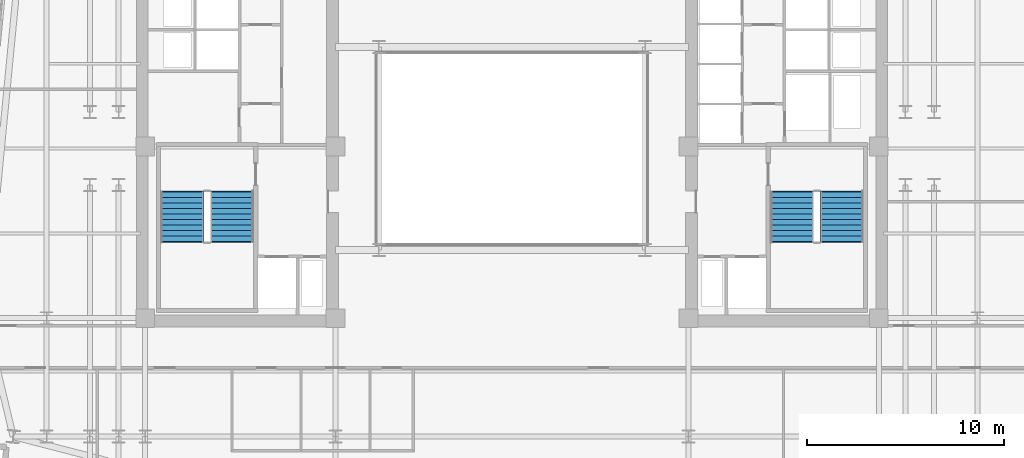
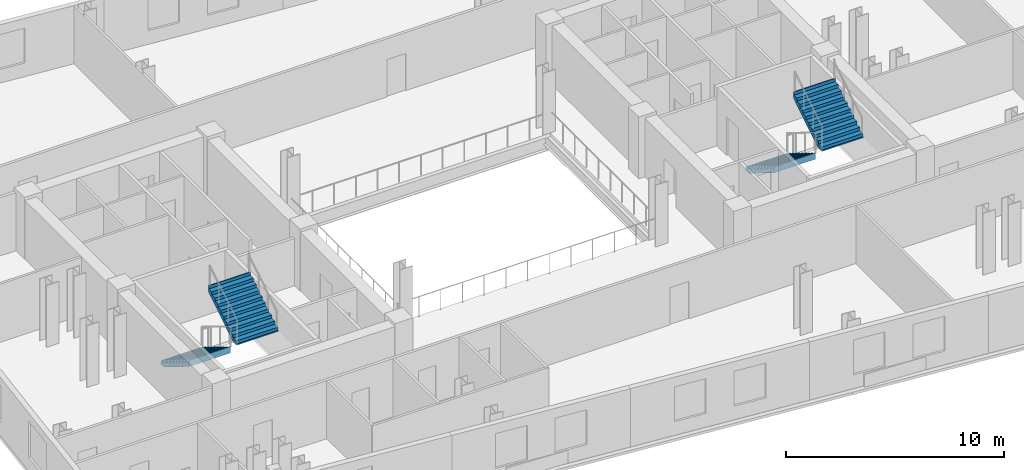
# One storey, part 7 of 9: 4 stair flights, 2 elements without a shape of their own.
"""IFC4 building model written with IfcOpenShell, lengths in metres."""

import ifcopenshell
import ifcopenshell.guid

model = None  # the IFC model being written
_history = None  # IfcOwnerHistory: only IFC2X3 demands one
_inside = {}  # id of a spatial element -> (the spatial element, [elements in it])
_under = {}  # id of a project, library or spatial element -> (it, [spatial elements below it])
_declared = {}  # id of a project -> (the project, [libraries it declares])
_typed = {}  # id of a type object -> (the type object, [elements of that type])
_made_of = {}  # id of a material, layer set ... -> (it, [elements and type objects made of it])


def new_model(schema):
    """Start an empty IFC model of exactly this schema.

    Asked for "IFC4X3", IfcOpenShell would pick the latest addendum, in which some entities
    have other attributes; the version numbers below select the first issue.
    IFC2X3 requires an IfcOwnerHistory on every rooted entity: one is made here for all.
    """
    global model, _history
    if schema == "IFC4X3":
        model = ifcopenshell.file(schema_version=(4, 3, 0, 0))
    else:
        model = ifcopenshell.file(schema=schema)
    _inside.clear()
    _under.clear()
    _declared.clear()
    _typed.clear()
    _made_of.clear()
    _history = None
    if model.schema == "IFC2X3":
        org = make("IfcOrganization", Name="unknown")
        user = make(
            "IfcPersonAndOrganization",
            ThePerson=make("IfcPerson", FamilyName="unknown"),
            TheOrganization=org,
        )
        app = make(
            "IfcApplication",
            ApplicationDeveloper=org,
            Version="unknown",
            ApplicationFullName="unknown",
            ApplicationIdentifier="unknown",
        )
        _history = make(
            "IfcOwnerHistory",
            OwningUser=user,
            OwningApplication=app,
            ChangeAction="ADDED",
            CreationDate=0,
        )
    return model


def make(cls, **values):
    """One entity of the class cls with the attributes given. An attribute that is None is left unset."""
    return model.create_entity(
        cls, **{name: value for name, value in values.items() if value is not None}
    )


def rooted(cls, **values):
    """An entity with a GlobalId (a new one), such as an element, a storey or a relation."""
    return make(cls, GlobalId=ifcopenshell.guid.new(), OwnerHistory=_history, **values)


def si_unit(unit_type, name, prefix=None):
    """IfcSIUnit, for example si_unit("LENGTHUNIT", "METRE", prefix="MILLI")."""
    return make("IfcSIUnit", UnitType=unit_type, Prefix=prefix, Name=name)


def assignment(units):
    """IfcUnitAssignment: the units of a project."""
    return None if units is None else make("IfcUnitAssignment", Units=units)


def point(xyz):
    """IfcCartesianPoint."""
    return None if xyz is None else make("IfcCartesianPoint", Coordinates=xyz)


def direction(xyz):
    """IfcDirection."""
    return None if xyz is None else make("IfcDirection", DirectionRatios=xyz)


def frame(location, z_axis=None, x_axis=None):
    """IfcAxis2Placement3D, a coordinate frame: its origin and axes. An axis left out is left unset."""
    return make(
        "IfcAxis2Placement3D",
        Location=point(location),
        Axis=direction(z_axis),
        RefDirection=direction(x_axis),
    )


def origin():
    """The frame at (0, 0, 0) with its axes left unset."""
    return frame((0.0, 0.0, 0.0))


def place(relative_to, where):
    """IfcLocalPlacement: puts the frame where relative to a parent placement (None: the world)."""
    return make(
        "IfcLocalPlacement", PlacementRelTo=relative_to, RelativePlacement=where
    )


def context(
    kind, dimensions, precision=None, world=None, true_north=None, identifier=None
):
    """IfcGeometricRepresentationContext, for example the 3D "Model" context."""
    return make(
        "IfcGeometricRepresentationContext",
        ContextIdentifier=identifier,
        ContextType=kind,
        CoordinateSpaceDimension=dimensions,
        Precision=precision,
        WorldCoordinateSystem=world,
        TrueNorth=true_north,
    )


def subcontext(parent, identifier, kind, view, scale=None):
    """IfcGeometricRepresentationSubContext, for example "Body" below "Model"."""
    return make(
        "IfcGeometricRepresentationSubContext",
        ContextIdentifier=identifier,
        ContextType=kind,
        ParentContext=parent,
        TargetScale=scale,
        TargetView=view,
    )


def project(units=None, contexts=None):
    """IfcProject with its units and contexts."""
    return rooted(
        "IfcProject",
        Name="project",
        RepresentationContexts=contexts,
        UnitsInContext=assignment(units),
    )


def spatial(cls, under=None, at=None, **own):
    """A site, building, storey or space (cls), placed at a placement, below another one or the project."""
    s = rooted(cls, ObjectPlacement=at, **own)
    if under is not None:
        _under.setdefault(under.id(), (under, []))[1].append(s)
    return s


def polyline(points):
    """IfcPolyline through the points."""
    return make("IfcPolyline", Points=[point(p) for p in points])


def outline(outer, holes=None, kind="AREA"):
    """IfcArbitraryClosedProfileDef: a profile drawn as a closed curve; with holes, ...WithVoids."""
    if holes is None:
        return make("IfcArbitraryClosedProfileDef", ProfileType=kind, OuterCurve=outer)
    return make(
        "IfcArbitraryProfileDefWithVoids",
        ProfileType=kind,
        OuterCurve=outer,
        InnerCurves=holes,
    )


def extrude(swept, where, along, depth):
    """IfcExtrudedAreaSolid: the profile swept, set in the frame where, extruded along a direction by depth."""
    return make(
        "IfcExtrudedAreaSolid",
        SweptArea=swept,
        Position=where,
        ExtrudedDirection=direction(along),
        Depth=depth,
    )


def shape(context_of_items, identifier, shape_type, items):
    """IfcShapeRepresentation: the items that make up one representation, for example the "Body"."""
    return make(
        "IfcShapeRepresentation",
        ContextOfItems=context_of_items,
        RepresentationIdentifier=identifier,
        RepresentationType=shape_type,
        Items=items,
    )


def material(Name=None, Category=None):
    """IfcMaterial."""
    return make("IfcMaterial", Name=Name, Category=Category)


def layer(
    of_material, thickness, ventilated=None, Name=None, Category=None, Priority=None
):
    """IfcMaterialLayer: one layer of a wall or slab, of a material (None: an air gap)."""
    return make(
        "IfcMaterialLayer",
        Material=of_material,
        LayerThickness=thickness,
        IsVentilated=ventilated,
        Name=Name,
        Category=Category,
        Priority=Priority,
    )


def layer_set(layers, Name=None):
    """IfcMaterialLayerSet."""
    return make("IfcMaterialLayerSet", MaterialLayers=layers, LayerSetName=Name)


def made_of(thing, what):
    """Note that an element or type object is made of a material, layer set ...; save() writes the relation."""
    if what is not None:
        _made_of.setdefault(what.id(), (what, []))[1].append(thing)
    return thing


def type_object(cls, material=None, **own):
    """A type object (cls), such as IfcWallType, which elements share."""
    return made_of(rooted(cls, **own), material)


def element(
    cls,
    number,
    at=None,
    inside=None,
    cuts=None,
    type_object=None,
    material=None,
    context=None,
    identifier="Body",
    shape_type=None,
    held_by="IfcProductDefinitionShape",
    body=None,
    shapes=None,
    **own,
):
    """One element of the class cls, such as IfcWall. Its Tag is "e" and its number.

    at: its placement. inside: the storey or other place that contains it. cuts: it is an
    opening in that element (IfcRelVoidsElement). A single representation is given by context,
    identifier, shape_type and body (its items); several are given by shapes. held_by: the class
    of the entity that holds the representations. save() writes the other relations.
    """
    e = rooted(cls, Tag="e%d" % number, ObjectPlacement=at, **own)
    if body is not None:
        shapes = [shape(context, identifier, shape_type, body)]
    if shapes is not None:
        e.Representation = make(held_by, Representations=shapes)
    if inside is not None:
        _inside.setdefault(inside.id(), (inside, []))[1].append(e)
    if cuts is not None:
        rooted(
            "IfcRelVoidsElement", RelatingBuildingElement=cuts, RelatedOpeningElement=e
        )
    if type_object is not None:
        _typed.setdefault(type_object.id(), (type_object, []))[1].append(e)
    return made_of(e, material)


def aggregate(whole, parts):
    """IfcRelAggregates: a whole, such as a stair, and the parts it consists of."""
    return rooted("IfcRelAggregates", RelatingObject=whole, RelatedObjects=parts)


def save(model, path):
    """Write the relations noted so far, then the file.

    IfcRelAggregates (storeys below a building ...), IfcRelContainedInSpatialStructure (elements
    in a storey), IfcRelDefinesByType, IfcRelAssociatesMaterial and IfcRelDeclares: one each for
    every whole, place, type object, material and project.
    """
    for whole, parts in _under.values():
        aggregate(whole, parts)
    for where, things in _inside.values():
        rooted(
            "IfcRelContainedInSpatialStructure",
            RelatedElements=things,
            RelatingStructure=where,
        )
    for kind, things in _typed.values():
        rooted("IfcRelDefinesByType", RelatedObjects=things, RelatingType=kind)
    for what, things in _made_of.values():
        rooted("IfcRelAssociatesMaterial", RelatedObjects=things, RelatingMaterial=what)
    for by, libraries in _declared.values():
        rooted("IfcRelDeclares", RelatingContext=by, RelatedDefinitions=libraries)
    model.write(path)


model = new_model("IFC4")

# Units and contexts
model_context = context("Model", 3, precision=1e-05, world=origin(), true_north=direction((0.0, 1.0)))
body_context = subcontext(model_context, "Body", "Model", "MODEL_VIEW")
ifc_project = project(units=[si_unit("LENGTHUNIT", "METRE"), si_unit("AREAUNIT", "SQUARE_METRE"), si_unit("VOLUMEUNIT", "CUBIC_METRE"), si_unit("PLANEANGLEUNIT", "RADIAN"), si_unit("MASSUNIT", "GRAM", prefix="KILO")], contexts=[model_context])

# Site, building, storey
site_placement = place(None, origin())
site = spatial("IfcSite", under=ifc_project, at=site_placement, CompositionType="ELEMENT")
building_placement = place(site_placement, origin())
building = spatial("IfcBuilding", under=site, at=building_placement, Name="Velakula Bourse", CompositionType="ELEMENT")
storey_placement = place(building_placement, frame((0.0, 0.0, 163.85009765625)))
storey = spatial("IfcBuildingStorey", under=building, at=storey_placement, Name="L44", CompositionType="ELEMENT", Elevation=163.85009765625)

# Stair, stair flights
ifc_material = material(Name="Concrete M45 (fck 45 MPa)", Category="concrete")
stair_type = type_object("IfcStairType", Name="STR-DOG-390", PredefinedType="HALF_TURN_STAIR", material=ifc_material)
stair_1_placement = place(storey_placement, origin())
stair_1 = element("IfcStair", 1, at=stair_1_placement, inside=storey, type_object=stair_type, Name="L44 West Core Exit Stair ST-W1", PredefinedType="HALF_TURN_STAIR")
ifc_layer = layer(ifc_material, 0.195068359375, Name="Concrete M45 (fck 45 MPa)", Category="concrete")
ifc_layer_set = layer_set([ifc_layer], Name="Concrete M45 (fck 45 MPa)")
stair_flight_type = type_object("IfcStairFlightType", Name="FLT-DOG-390", PredefinedType="STRAIGHT", material=ifc_layer_set)
stair_flight_1_placement = place(storey_placement, frame((-16.720947265625, -2.199951171875, 0.0), z_axis=(0.0, 0.0, 1.0), x_axis=(0.0, -1.0, 0.0)))
stair_flight_1 = element("IfcStairFlight", 2, at=stair_flight_1_placement, type_object=stair_flight_type, Name="ST-W1 flight 1", NumberOfRisers=10, NumberOfTreads=9, PredefinedType="STRAIGHT", RiserHeight=0.1725, TreadLength=0.28, context=body_context, shape_type="SweptSolid", body=[
    extrude(outline(polyline([(-0.044921875, -0.0400390625), (-0.044921875, -0.036865234375), (-0.044921875, -0.033935546875), (-0.044921875, -0.03076171875), (-0.044921875, -0.027587890625), (-0.044921875, -0.024658203125), (-0.044921875, -0.021484375), (-0.044921875, -0.0185546875), (-0.044921875, -0.015380859375), (-0.044921875, -0.01220703125), (-0.044921875, -0.00927734375), (-0.044921875, -0.006103515625), (-0.044921875, -0.003173828125), (-0.044921875, 0.0), (0.0, 0.0), (0.0, 0.172607421875), (0.280029296875, 0.172607421875), (0.280029296875, 0.344970703125), (0.56005859375, 0.344970703125), (0.56005859375, 0.517578125), (0.840087890625, 0.517578125), (0.840087890625, 0.68994140625), (1.1201171875, 0.68994140625), (1.1201171875, 0.862548828125), (1.39990234375, 0.862548828125), (1.39990234375, 1.034912109375), (1.679931640625, 1.034912109375), (1.679931640625, 1.20751953125), (1.9599609375, 1.20751953125), (1.9599609375, 1.3798828125), (2.239990234375, 1.3798828125), (2.239990234375, 1.552490234375), (2.52001953125, 1.552490234375), (2.52001953125, 1.72509765625), (2.56494140625, 1.72509765625), (2.56494140625, 1.7001953125), (2.56494140625, 1.67529296875), (2.56494140625, 1.650390625), (2.56494140625, 1.62548828125), (2.56494140625, 1.6005859375), (2.56494140625, 1.57568359375), (2.56494140625, 1.55078125), (2.56494140625, 1.52587890625), (2.56494140625, 1.5009765625), (2.56494140625, 1.47607421875), (2.56494140625, 1.451171875), (2.56494140625, 1.42626953125), (2.56494140625, 1.4013671875), (2.56494140625, 1.37646484375), (0.285888671875, -0.0400390625), (-0.044921875, -0.0400390625)])), frame((0.0, 1.09912109375, 0.0), z_axis=(0.0, -1.0, 0.0), x_axis=(1.0, 0.0, 0.0)), (0.0, 0.0, 1.0), 2.197998046875),
])
stair_flight_2_placement = place(storey_placement, frame((-14.198974609375, -4.719970703125, 1.724853515625), z_axis=(0.0, 0.0, 1.0), x_axis=(0.0, 1.0, 0.0)))
stair_flight_2 = element("IfcStairFlight", 3, at=stair_flight_2_placement, type_object=stair_flight_type, Name="ST-W1 flight 2", NumberOfRisers=10, NumberOfTreads=9, PredefinedType="STRAIGHT", RiserHeight=0.1725, TreadLength=0.28, context=body_context, shape_type="SweptSolid", body=[
    extrude(outline(polyline([(-0.044921875, -0.0400390625), (-0.044921875, -0.036865234375), (-0.044921875, -0.033935546875), (-0.044921875, -0.03076171875), (-0.044921875, -0.027587890625), (-0.044921875, -0.024658203125), (-0.044921875, -0.021484375), (-0.044921875, -0.0185546875), (-0.044921875, -0.015380859375), (-0.044921875, -0.01220703125), (-0.044921875, -0.00927734375), (-0.044921875, -0.006103515625), (-0.044921875, -0.003173828125), (-0.044921875, 0.0), (0.0, 0.0), (0.0, 0.172607421875), (0.280029296875, 0.172607421875), (0.280029296875, 0.344970703125), (0.56005859375, 0.344970703125), (0.56005859375, 0.517578125), (0.840087890625, 0.517578125), (0.840087890625, 0.68994140625), (1.1201171875, 0.68994140625), (1.1201171875, 0.862548828125), (1.39990234375, 0.862548828125), (1.39990234375, 1.034912109375), (1.679931640625, 1.034912109375), (1.679931640625, 1.20751953125), (1.9599609375, 1.20751953125), (1.9599609375, 1.3798828125), (2.239990234375, 1.3798828125), (2.239990234375, 1.552490234375), (2.52001953125, 1.552490234375), (2.52001953125, 1.72509765625), (2.56494140625, 1.72509765625), (2.56494140625, 1.7001953125), (2.56494140625, 1.67529296875), (2.56494140625, 1.650390625), (2.56494140625, 1.62548828125), (2.56494140625, 1.6005859375), (2.56494140625, 1.57568359375), (2.56494140625, 1.55078125), (2.56494140625, 1.52587890625), (2.56494140625, 1.5009765625), (2.56494140625, 1.47607421875), (2.56494140625, 1.451171875), (2.56494140625, 1.42626953125), (2.56494140625, 1.4013671875), (2.56494140625, 1.37646484375), (0.285888671875, -0.0400390625), (-0.044921875, -0.0400390625)])), frame((0.0, 1.09912109375, 0.0), z_axis=(0.0, -1.0, 0.0), x_axis=(1.0, 0.0, 0.0)), (0.0, 0.0, 1.0), 2.197998046875),
])
aggregate(stair_1, [stair_flight_1, stair_flight_2])

stair_2_placement = place(storey_placement, origin())
stair_2 = element("IfcStair", 4, at=stair_2_placement, inside=storey, type_object=stair_type, Name="L44 East Core Exit Stair ST-E1", PredefinedType="HALF_TURN_STAIR")
stair_flight_3_placement = place(storey_placement, frame((14.198974609375, -2.199951171875, 0.0), z_axis=(0.0, 0.0, 1.0), x_axis=(0.0, -1.0, 0.0)))
stair_flight_3 = element("IfcStairFlight", 5, at=stair_flight_3_placement, type_object=stair_flight_type, Name="ST-E1 flight 1", NumberOfRisers=10, NumberOfTreads=9, PredefinedType="STRAIGHT", RiserHeight=0.1725, TreadLength=0.28, context=body_context, shape_type="SweptSolid", body=[
    extrude(outline(polyline([(-0.044921875, -0.0400390625), (-0.044921875, -0.036865234375), (-0.044921875, -0.033935546875), (-0.044921875, -0.03076171875), (-0.044921875, -0.027587890625), (-0.044921875, -0.024658203125), (-0.044921875, -0.021484375), (-0.044921875, -0.0185546875), (-0.044921875, -0.015380859375), (-0.044921875, -0.01220703125), (-0.044921875, -0.00927734375), (-0.044921875, -0.006103515625), (-0.044921875, -0.003173828125), (-0.044921875, 0.0), (0.0, 0.0), (0.0, 0.172607421875), (0.280029296875, 0.172607421875), (0.280029296875, 0.344970703125), (0.56005859375, 0.344970703125), (0.56005859375, 0.517578125), (0.840087890625, 0.517578125), (0.840087890625, 0.68994140625), (1.1201171875, 0.68994140625), (1.1201171875, 0.862548828125), (1.39990234375, 0.862548828125), (1.39990234375, 1.034912109375), (1.679931640625, 1.034912109375), (1.679931640625, 1.20751953125), (1.9599609375, 1.20751953125), (1.9599609375, 1.3798828125), (2.239990234375, 1.3798828125), (2.239990234375, 1.552490234375), (2.52001953125, 1.552490234375), (2.52001953125, 1.72509765625), (2.56494140625, 1.72509765625), (2.56494140625, 1.7001953125), (2.56494140625, 1.67529296875), (2.56494140625, 1.650390625), (2.56494140625, 1.62548828125), (2.56494140625, 1.6005859375), (2.56494140625, 1.57568359375), (2.56494140625, 1.55078125), (2.56494140625, 1.52587890625), (2.56494140625, 1.5009765625), (2.56494140625, 1.47607421875), (2.56494140625, 1.451171875), (2.56494140625, 1.42626953125), (2.56494140625, 1.4013671875), (2.56494140625, 1.37646484375), (0.285888671875, -0.0400390625), (-0.044921875, -0.0400390625)])), frame((0.0, 1.09912109375, 0.0), z_axis=(0.0, -1.0, 0.0), x_axis=(1.0, 0.0, 0.0)), (0.0, 0.0, 1.0), 2.197998046875),
])
stair_flight_4_placement = place(storey_placement, frame((16.720947265625, -4.719970703125, 1.724853515625), z_axis=(0.0, 0.0, 1.0), x_axis=(0.0, 1.0, 0.0)))
stair_flight_4 = element("IfcStairFlight", 6, at=stair_flight_4_placement, type_object=stair_flight_type, Name="ST-E1 flight 2", NumberOfRisers=10, NumberOfTreads=9, PredefinedType="STRAIGHT", RiserHeight=0.1725, TreadLength=0.28, context=body_context, shape_type="SweptSolid", body=[
    extrude(outline(polyline([(-0.044921875, -0.0400390625), (-0.044921875, -0.036865234375), (-0.044921875, -0.033935546875), (-0.044921875, -0.03076171875), (-0.044921875, -0.027587890625), (-0.044921875, -0.024658203125), (-0.044921875, -0.021484375), (-0.044921875, -0.0185546875), (-0.044921875, -0.015380859375), (-0.044921875, -0.01220703125), (-0.044921875, -0.00927734375), (-0.044921875, -0.006103515625), (-0.044921875, -0.003173828125), (-0.044921875, 0.0), (0.0, 0.0), (0.0, 0.172607421875), (0.280029296875, 0.172607421875), (0.280029296875, 0.344970703125), (0.56005859375, 0.344970703125), (0.56005859375, 0.517578125), (0.840087890625, 0.517578125), (0.840087890625, 0.68994140625), (1.1201171875, 0.68994140625), (1.1201171875, 0.862548828125), (1.39990234375, 0.862548828125), (1.39990234375, 1.034912109375), (1.679931640625, 1.034912109375), (1.679931640625, 1.20751953125), (1.9599609375, 1.20751953125), (1.9599609375, 1.3798828125), (2.239990234375, 1.3798828125), (2.239990234375, 1.552490234375), (2.52001953125, 1.552490234375), (2.52001953125, 1.72509765625), (2.56494140625, 1.72509765625), (2.56494140625, 1.7001953125), (2.56494140625, 1.67529296875), (2.56494140625, 1.650390625), (2.56494140625, 1.62548828125), (2.56494140625, 1.6005859375), (2.56494140625, 1.57568359375), (2.56494140625, 1.55078125), (2.56494140625, 1.52587890625), (2.56494140625, 1.5009765625), (2.56494140625, 1.47607421875), (2.56494140625, 1.451171875), (2.56494140625, 1.42626953125), (2.56494140625, 1.4013671875), (2.56494140625, 1.37646484375), (0.285888671875, -0.0400390625), (-0.044921875, -0.0400390625)])), frame((0.0, 1.09912109375, 0.0), z_axis=(0.0, -1.0, 0.0), x_axis=(1.0, 0.0, 0.0)), (0.0, 0.0, 1.0), 2.197998046875),
])
aggregate(stair_2, [stair_flight_3, stair_flight_4])

save(model, "model.ifc")
